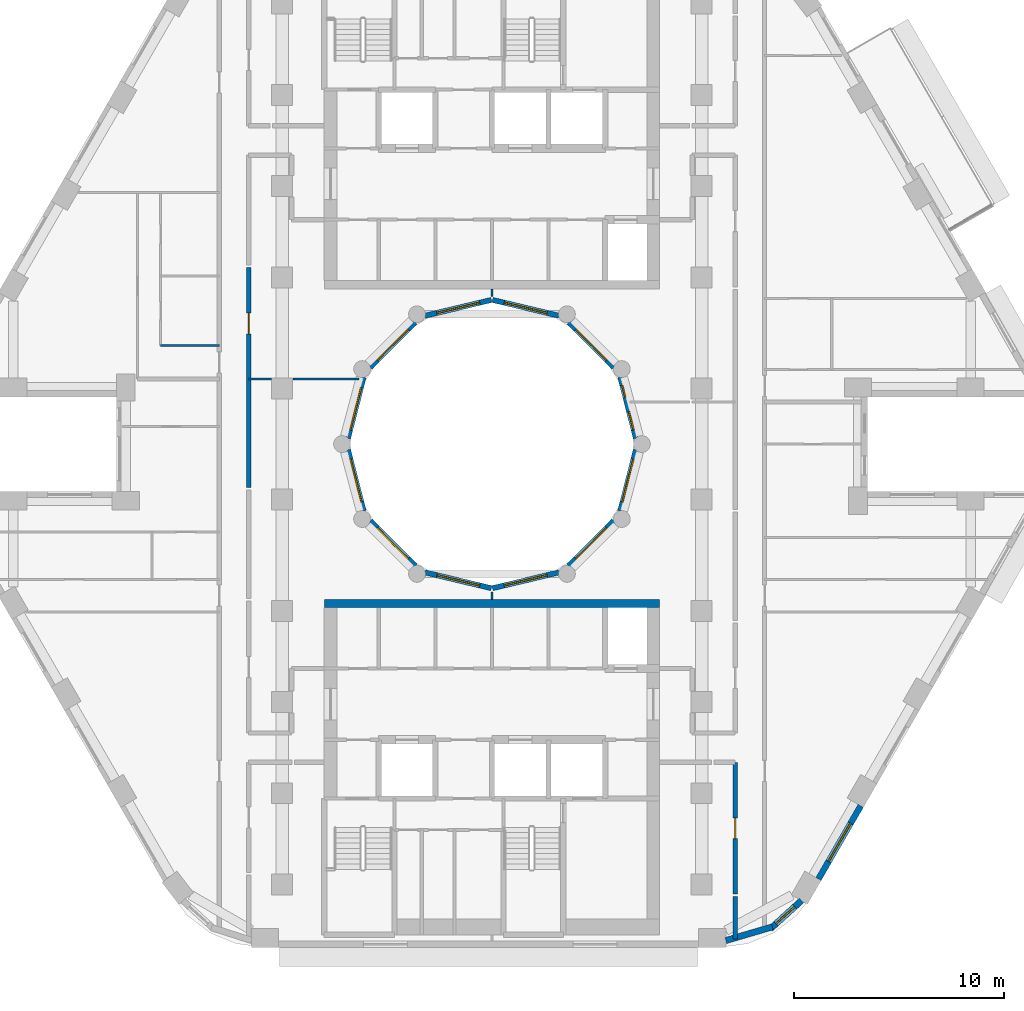
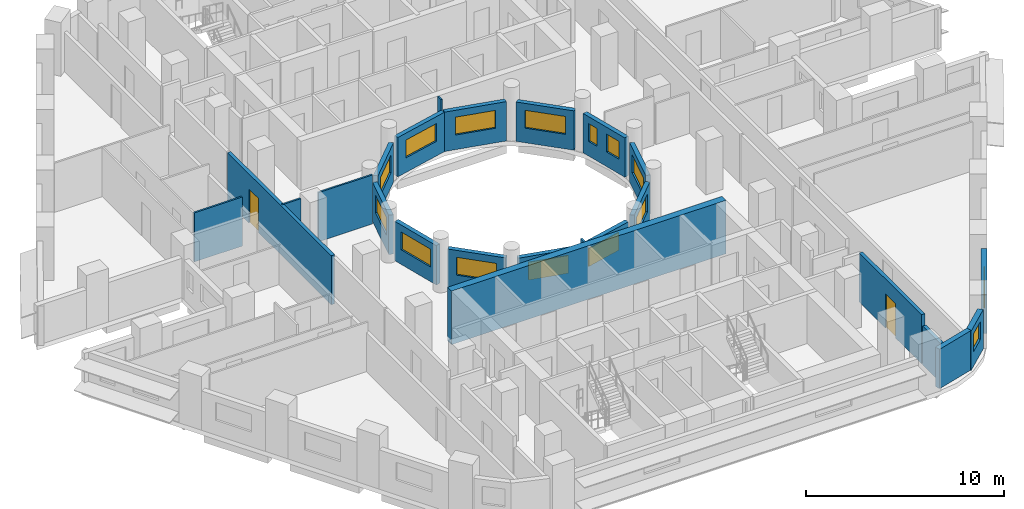
# One storey, part 5 of 14: 24 walls, 15 windows, 2 doors, 17 openings.
"""IFC4 building model written with IfcOpenShell, lengths in metres."""

from ifc_helpers import new_model, si_unit, direction, frame, frame_2d, origin, place, context, subcontext, project, spatial, rectangle, extrude, material, layer, layer_set, type_object, element, fill, save


model = new_model("IFC4")

# Units and contexts
model_context = context("Model", 3, precision=1e-05, world=origin(), true_north=direction((0.0, 1.0)))
body_context = subcontext(model_context, "Body", "Model", "MODEL_VIEW")
ifc_project = project(units=[si_unit("LENGTHUNIT", "METRE"), si_unit("AREAUNIT", "SQUARE_METRE"), si_unit("VOLUMEUNIT", "CUBIC_METRE"), si_unit("PLANEANGLEUNIT", "RADIAN"), si_unit("MASSUNIT", "GRAM", prefix="KILO")], contexts=[model_context])

# Site, building, storey
site_placement = place(None, origin())
site = spatial("IfcSite", under=ifc_project, at=site_placement, CompositionType="ELEMENT")
building_placement = place(site_placement, origin())
building = spatial("IfcBuilding", under=site, at=building_placement, Name="Nakaniwa Court", CompositionType="ELEMENT")
storey_placement = place(building_placement, frame((0.0, 0.0, 163.5)))
storey = spatial("IfcBuildingStorey", under=building, at=storey_placement, Name="L43", CompositionType="ELEMENT", Elevation=163.5)

# Wall
ifc_material_1 = material(Name="Acoustic double stud partition")
ifc_layer_1 = layer(ifc_material_1, 0.199951171875)
ifc_layer_set_1 = layer_set([ifc_layer_1], Name="Acoustic double stud partition")
wall_type_1 = type_object("IfcWallType", Name="Acoustic double stud partition 200", PredefinedType="PARTITIONING", material=ifc_layer_set_1)
wall_1_placement = place(storey_placement, frame((91.60009765625, 56.40087890625, 0.0), z_axis=(0.0, 0.0, 1.0), x_axis=(0.0, 1.0, 0.0)))
element("IfcWall", 1, at=wall_1_placement, inside=storey, type_object=wall_type_1, Name="Partition PW-073", PredefinedType="PARTITIONING", context=body_context, shape_type="SweptSolid", body=[
    extrude(rectangle(XDim=2.02197265625, YDim=0.199951171875, at=frame_2d((1.010986328125, 0.0))), origin(), (0.0, 0.0, 1.0), 2.405029296875),
])

# Wall, opening, door
wall_2_placement = place(storey_placement, frame((91.60009765625, 58.537109375, 0.0), z_axis=(0.0, 0.0, 1.0), x_axis=(0.0, 1.0, 0.0)))
wall_2 = element("IfcWall", 2, at=wall_2_placement, inside=storey, type_object=wall_type_1, Name="Partition PW-074", PredefinedType="PARTITIONING", context=body_context, shape_type="SweptSolid", body=[
    extrude(rectangle(XDim=6.287841796875, YDim=0.199951171875, at=frame_2d((3.14404296875, 0.0))), origin(), (0.0, 0.0, 1.0), 3.02490234375),
])
opening_1_placement = place(wall_2_placement, frame((2.64501953125, 0.0, 0.0)))
opening_1 = element("IfcOpeningElement", 3, at=opening_1_placement, cuts=wall_2, Name="Opening D-02-01", PredefinedType="OPENING", context=body_context, shape_type="SweptSolid", body=[
    extrude(rectangle(XDim=1.0, YDim=2.10009765625, at=frame_2d((0.5, 1.050048828125))), frame((0.0, 0.10986328125, 0.0), z_axis=(0.0, -1.0, 0.0), x_axis=(1.0, 0.0, 0.0)), (0.0, 0.0, 1.0), 0.219970703125),
])
ifc_material_2 = material(Name="Solid core timber door set, black veneer", Category="wood")
door_type = type_object("IfcDoorType", Name="Internal door 1000", OperationType="NOTDEFINED", PredefinedType="DOOR", material=ifc_material_2)
door_1_placement = place(opening_1_placement, origin())
door_1 = element("IfcDoor", 4, at=door_1_placement, inside=storey, type_object=door_type, Name="Door D-02-01 L43-029", OperationType="SINGLE_SWING_RIGHT", OverallHeight=2.10009765625, OverallWidth=1.0, PredefinedType="DOOR", context=body_context, shape_type="SweptSolid", body=[
    extrude(rectangle(XDim=1.0, YDim=2.10009765625, at=frame_2d((0.5, 1.050048828125))), frame((0.0, 0.02490234375, 0.0), z_axis=(0.0, -1.0, 0.0), x_axis=(1.0, 0.0, 0.0)), (0.0, 0.0, 1.0), 0.050048828125),
])
fill(opening_1, door_1)

wall_3_placement = place(storey_placement, frame((68.39990234375, 88.412841796875, 0.0), z_axis=(0.0, 0.0, 1.0), x_axis=(0.0, -1.0, 0.0)))
wall_3 = element("IfcWall", 5, at=wall_3_placement, inside=storey, type_object=wall_type_1, Name="Partition PW-106", PredefinedType="PARTITIONING", context=body_context, shape_type="SweptSolid", body=[
    extrude(rectangle(XDim=10.485595703125, YDim=0.199951171875, at=frame_2d((5.24267578125, 0.0))), origin(), (0.0, 0.0, 1.0), 3.02490234375),
])
opening_2_placement = place(wall_3_placement, frame((2.157958984375, 0.0, 0.0)))
opening_2 = element("IfcOpeningElement", 6, at=opening_2_placement, cuts=wall_3, Name="Opening D-02-07", PredefinedType="OPENING", context=body_context, shape_type="SweptSolid", body=[
    extrude(rectangle(XDim=1.0, YDim=2.10009765625, at=frame_2d((0.5, 1.050048828125))), frame((0.0, 0.10986328125, 0.0), z_axis=(0.0, -1.0, 0.0), x_axis=(1.0, 0.0, 0.0)), (0.0, 0.0, 1.0), 0.219970703125),
])
door_2_placement = place(opening_2_placement, origin())
door_2 = element("IfcDoor", 7, at=door_2_placement, inside=storey, type_object=door_type, Name="Door D-02-07 L43-053", OperationType="SINGLE_SWING_RIGHT", OverallHeight=2.10009765625, OverallWidth=1.0, PredefinedType="DOOR", context=body_context, shape_type="SweptSolid", body=[
    extrude(rectangle(XDim=1.0, YDim=2.10009765625, at=frame_2d((0.5, 1.050048828125))), frame((0.0, 0.02490234375, 0.0), z_axis=(0.0, -1.0, 0.0), x_axis=(1.0, 0.0, 0.0)), (0.0, 0.0, 1.0), 0.050048828125),
])
fill(opening_2, door_2)

# Wall
ifc_material_3 = material(Name="Charcoal ceramic cladding")
ifc_layer_2 = layer(ifc_material_3, 0.02, Name="Ceramic cladding")
ifc_material_4 = material(Name="Ventilated air cavity")
ifc_layer_3 = layer(ifc_material_4, 0.04, ventilated=True, Name="Ventilated cavity")
ifc_material_5 = material(Name="Mineral wool insulation")
ifc_layer_4 = layer(ifc_material_5, 0.1, Name="Insulation")
ifc_material_6 = material(Name="Cement bonded sheathing board")
ifc_layer_5 = layer(ifc_material_6, 0.012, Name="Sheathing")
ifc_material_7 = material(Name="Cold-formed galvanised stud frame with mineral wool infill")
ifc_layer_6 = layer(ifc_material_7, 0.1, Name="Stud frame")
ifc_material_8 = material(Name="Fire-rated gypsum plasterboard lining")
ifc_layer_7 = layer(ifc_material_8, 0.028, Name="Lining")
ifc_layer_set_2 = layer_set([ifc_layer_2, ifc_layer_3, ifc_layer_4, ifc_layer_5, ifc_layer_6, ifc_layer_7], Name="Charcoal ceramic faced external wall system")
wall_type_2 = type_object("IfcWallType", Name="Black ceramic faced external wall 300", PredefinedType="SOLIDWALL", material=ifc_layer_set_2)
wall_4_placement = place(storey_placement, frame((91.1533203125, 56.328125, 0.0), z_axis=(0.0, 0.0, 1.0), x_axis=(0.959473072336, 0.281800325517, 0.0)))
element("IfcWall", 8, at=wall_4_placement, inside=storey, type_object=wall_type_2, Name="L43 external wall 27", PredefinedType="SOLIDWALL", context=body_context, shape_type="SweptSolid", body=[
    extrude(rectangle(XDim=2.3115234375, YDim=0.300048828125, at=frame_2d((1.15576171875, 0.0))), origin(), (0.0, 0.0, 1.0), 2.425048828125),
])

# Wall, opening, window
wall_5_placement = place(storey_placement, frame((93.2783203125, 56.890380859375, 0.0), z_axis=(0.0, 0.0, 1.0), x_axis=(0.740652597499, 0.671888182526, 0.0)))
wall_5 = element("IfcWall", 9, at=wall_5_placement, inside=storey, type_object=wall_type_2, Name="L43 external wall 28", PredefinedType="SOLIDWALL", context=body_context, shape_type="SweptSolid", body=[
    extrude(rectangle(XDim=1.998779296875, YDim=0.300048828125, at=frame_2d((0.99951171875, 0.0))), origin(), (0.0, 0.0, 1.0), 2.425048828125),
])
opening_3_placement = place(wall_5_placement, frame((0.359619140625, 0.0, 0.89990234375)))
opening_3 = element("IfcOpeningElement", 10, at=opening_3_placement, cuts=wall_5, Name="Opening W6.25", PredefinedType="OPENING", context=body_context, shape_type="SweptSolid", body=[
    extrude(rectangle(XDim=1.199951171875, YDim=1.10009765625, at=frame_2d((0.60009765625, 0.550048828125))), frame((0.0, 0.159912109375, 0.0), z_axis=(0.0, -1.0, 0.0), x_axis=(1.0, 0.0, 0.0)), (0.0, 0.0, 1.0), 0.320068359375),
])
ifc_material_9 = material(Name="Black anodised aluminium frame with dark low-E laminated double glazing", Category="aluminium")
window_type_1 = type_object("IfcWindowType", Name="Dark glass window 1200x1100 sill 900", PartitioningType="SINGLE_PANEL", PredefinedType="WINDOW", material=ifc_material_9)
window_1_placement = place(opening_3_placement, origin())
window_1 = element("IfcWindow", 11, at=window_1_placement, inside=storey, type_object=window_type_1, Name="L43 habitable room window 28-0", OverallHeight=1.10009765625, OverallWidth=1.199951171875, PartitioningType="SINGLE_PANEL", PredefinedType="WINDOW", context=body_context, shape_type="SweptSolid", body=[
    extrude(rectangle(XDim=1.199951171875, YDim=1.10009765625, at=frame_2d((0.60009765625, 0.550048828125))), frame((0.0, 0.030029296875, 0.0), z_axis=(0.0, -1.0, 0.0), x_axis=(1.0, 0.0, 0.0)), (0.0, 0.0, 1.0), 0.06005859375),
])
fill(opening_3, window_1)

wall_6_placement = place(storey_placement, frame((95.565185546875, 59.260009765625, 0.0), z_axis=(0.0, 0.0, 1.0), x_axis=(0.500031546601, 0.86600718958, 0.0)))
wall_6 = element("IfcWall", 12, at=wall_6_placement, inside=storey, type_object=wall_type_2, Name="L43 external wall 29", PredefinedType="SOLIDWALL", context=body_context, shape_type="SweptSolid", body=[
    extrude(rectangle(XDim=4.033935546875, YDim=0.300048828125, at=frame_2d((2.01708984375, 0.0))), origin(), (0.0, 0.0, 1.0), 2.425048828125),
])
opening_4_placement = place(wall_6_placement, frame((0.967041015625, 0.0, 0.89990234375)))
opening_4 = element("IfcOpeningElement", 13, at=opening_4_placement, cuts=wall_6, Name="Opening W7.26", PredefinedType="OPENING", context=body_context, shape_type="SweptSolid", body=[
    extrude(rectangle(XDim=2.10009765625, YDim=1.10009765625, at=frame_2d((1.050048828125, 0.550048828125))), frame((0.0, 0.159912109375, 0.0), z_axis=(0.0, -1.0, 0.0), x_axis=(1.0, 0.0, 0.0)), (0.0, 0.0, 1.0), 0.320068359375),
])
window_type_2 = type_object("IfcWindowType", Name="Dark glass window 2100x1100 sill 900", PartitioningType="SINGLE_PANEL", PredefinedType="WINDOW", material=ifc_material_9)
window_2_placement = place(opening_4_placement, origin())
window_2 = element("IfcWindow", 14, at=window_2_placement, inside=storey, type_object=window_type_2, Name="L43 habitable room window 29-0", OverallHeight=1.10009765625, OverallWidth=2.10009765625, PartitioningType="SINGLE_PANEL", PredefinedType="WINDOW", context=body_context, shape_type="SweptSolid", body=[
    extrude(rectangle(XDim=2.10009765625, YDim=1.10009765625, at=frame_2d((1.050048828125, 0.550048828125))), frame((0.0, 0.030029296875, 0.0), z_axis=(0.0, -1.0, 0.0), x_axis=(1.0, 0.0, 0.0)), (0.0, 0.0, 1.0), 0.06005859375),
])
fill(opening_4, window_2)

ifc_layer_8 = layer(ifc_material_3, 0.02, Name="Ceramic cladding")
ifc_layer_9 = layer(ifc_material_4, 0.04, ventilated=True, Name="Ventilated cavity")
ifc_layer_10 = layer(ifc_material_5, 0.075, Name="Insulation")
ifc_layer_11 = layer(ifc_material_6, 0.012, Name="Sheathing")
ifc_layer_12 = layer(ifc_material_7, 0.075, Name="Stud frame")
ifc_layer_13 = layer(ifc_material_8, 0.028, Name="Lining")
ifc_layer_set_3 = layer_set([ifc_layer_8, ifc_layer_9, ifc_layer_10, ifc_layer_11, ifc_layer_12, ifc_layer_13], Name="Charcoal ceramic faced external wall system")
wall_type_3 = type_object("IfcWallType", Name="Charcoal ceramic faced well wall 250", PredefinedType="SOLIDWALL", material=ifc_layer_set_3)
wall_7_placement = place(storey_placement, frame((86.8603515625, 79.72998046875, 0.0), z_axis=(0.0, 0.0, 1.0), x_axis=(-0.247055971283, -0.969001211069, 0.0)))
wall_7 = element("IfcWall", 15, at=wall_7_placement, inside=storey, type_object=wall_type_3, Name="L43 external wall 36", PredefinedType="SOLIDWALL", context=body_context, shape_type="SweptSolid", body=[
    extrude(rectangle(XDim=3.010009765625, YDim=0.25, at=frame_2d((1.5048828125, 0.0))), origin(), (0.0, 0.0, 1.0), 2.425048828125),
])
opening_5_placement = place(wall_7_placement, frame((0.46875, 0.0, 0.89990234375)))
opening_5 = element("IfcOpeningElement", 16, at=opening_5_placement, cuts=wall_7, Name="Opening W7.35", PredefinedType="OPENING", context=body_context, shape_type="SweptSolid", body=[
    extrude(rectangle(XDim=2.10009765625, YDim=1.10009765625, at=frame_2d((1.050048828125, 0.550048828125))), frame((0.0, 0.135009765625, 0.0), z_axis=(0.0, -1.0, 0.0), x_axis=(1.0, 0.0, 0.0)), (0.0, 0.0, 1.0), 0.27001953125),
])
window_3_placement = place(opening_5_placement, origin())
window_3 = element("IfcWindow", 17, at=window_3_placement, inside=storey, type_object=window_type_2, Name="L43 habitable room window 36-0", OverallHeight=1.10009765625, OverallWidth=2.10009765625, PartitioningType="SINGLE_PANEL", PredefinedType="WINDOW", context=body_context, shape_type="SweptSolid", body=[
    extrude(rectangle(XDim=2.10009765625, YDim=1.10009765625, at=frame_2d((1.050048828125, 0.550048828125))), frame((0.0, 0.030029296875, 0.0), z_axis=(0.0, -1.0, 0.0), x_axis=(1.0, 0.0, 0.0)), (0.0, 0.0, 1.0), 0.06005859375),
])
fill(opening_5, window_3)

wall_8_placement = place(storey_placement, frame((85.8056640625, 76.339111328125, 0.0), z_axis=(0.0, 0.0, 1.0), x_axis=(-0.707106781187, -0.707106781187, 0.0)))
wall_8 = element("IfcWall", 18, at=wall_8_placement, inside=storey, type_object=wall_type_3, Name="L43 external wall 37", PredefinedType="SOLIDWALL", context=body_context, shape_type="SweptSolid", body=[
    extrude(rectangle(XDim=3.033203125, YDim=0.25, at=frame_2d((1.5166015625, 0.0))), origin(), (0.0, 0.0, 1.0), 2.425048828125),
])
opening_6_placement = place(wall_8_placement, frame((0.466552734375, 0.0, 0.89990234375)))
opening_6 = element("IfcOpeningElement", 19, at=opening_6_placement, cuts=wall_8, Name="Opening W7.36", PredefinedType="OPENING", context=body_context, shape_type="SweptSolid", body=[
    extrude(rectangle(XDim=2.10009765625, YDim=1.10009765625, at=frame_2d((1.050048828125, 0.550048828125))), frame((0.0, 0.135009765625, 0.0), z_axis=(0.0, -1.0, 0.0), x_axis=(1.0, 0.0, 0.0)), (0.0, 0.0, 1.0), 0.27001953125),
])
window_4_placement = place(opening_6_placement, origin())
window_4 = element("IfcWindow", 20, at=window_4_placement, inside=storey, type_object=window_type_2, Name="L43 habitable room window 37-0", OverallHeight=1.10009765625, OverallWidth=2.10009765625, PartitioningType="SINGLE_PANEL", PredefinedType="WINDOW", context=body_context, shape_type="SweptSolid", body=[
    extrude(rectangle(XDim=2.10009765625, YDim=1.10009765625, at=frame_2d((1.050048828125, 0.550048828125))), frame((0.0, 0.030029296875, 0.0), z_axis=(0.0, -1.0, 0.0), x_axis=(1.0, 0.0, 0.0)), (0.0, 0.0, 1.0), 0.06005859375),
])
fill(opening_6, window_4)

wall_9_placement = place(storey_placement, frame((83.186279296875, 73.880615234375, 0.0), z_axis=(0.0, 0.0, 1.0), x_axis=(-0.972773113459, -0.231759508395, 0.0)))
wall_9 = element("IfcWall", 21, at=wall_9_placement, inside=storey, type_object=wall_type_3, Name="L43 external wall 38", PredefinedType="SOLIDWALL", context=body_context, shape_type="SweptSolid", body=[
    extrude(rectangle(XDim=3.24560546875, YDim=0.25, at=frame_2d((1.622802734375, 0.0))), origin(), (0.0, 0.0, 1.0), 2.425048828125),
])
opening_7_placement = place(wall_9_placement, frame((0.57275390625, 0.0, 0.89990234375)))
opening_7 = element("IfcOpeningElement", 22, at=opening_7_placement, cuts=wall_9, Name="Opening W7.37", PredefinedType="OPENING", context=body_context, shape_type="SweptSolid", body=[
    extrude(rectangle(XDim=2.10009765625, YDim=1.10009765625, at=frame_2d((1.050048828125, 0.550048828125))), frame((0.0, 0.135009765625, 0.0), z_axis=(0.0, -1.0, 0.0), x_axis=(1.0, 0.0, 0.0)), (0.0, 0.0, 1.0), 0.27001953125),
])
window_5_placement = place(opening_7_placement, origin())
window_5 = element("IfcWindow", 23, at=window_5_placement, inside=storey, type_object=window_type_2, Name="L43 habitable room window 38-0", OverallHeight=1.10009765625, OverallWidth=2.10009765625, PartitioningType="SINGLE_PANEL", PredefinedType="WINDOW", context=body_context, shape_type="SweptSolid", body=[
    extrude(rectangle(XDim=2.10009765625, YDim=1.10009765625, at=frame_2d((1.050048828125, 0.550048828125))), frame((0.0, 0.030029296875, 0.0), z_axis=(0.0, -1.0, 0.0), x_axis=(1.0, 0.0, 0.0)), (0.0, 0.0, 1.0), 0.06005859375),
])
fill(opening_7, window_5)

wall_10_placement = place(storey_placement, frame((79.970947265625, 73.12841796875, 0.0), z_axis=(0.0, 0.0, 1.0), x_axis=(-0.972773113459, 0.231759508395, 0.0)))
wall_10 = element("IfcWall", 24, at=wall_10_placement, inside=storey, type_object=wall_type_3, Name="L43 external wall 39", PredefinedType="SOLIDWALL", context=body_context, shape_type="SweptSolid", body=[
    extrude(rectangle(XDim=3.24560546875, YDim=0.25, at=frame_2d((1.622802734375, 0.0))), origin(), (0.0, 0.0, 1.0), 2.425048828125),
])
opening_8_placement = place(wall_10_placement, frame((0.57275390625, 0.0, 0.89990234375)))
opening_8 = element("IfcOpeningElement", 25, at=opening_8_placement, cuts=wall_10, Name="Opening W7.38", PredefinedType="OPENING", context=body_context, shape_type="SweptSolid", body=[
    extrude(rectangle(XDim=2.10009765625, YDim=1.10009765625, at=frame_2d((1.050048828125, 0.550048828125))), frame((0.0, 0.135009765625, 0.0), z_axis=(0.0, -1.0, 0.0), x_axis=(1.0, 0.0, 0.0)), (0.0, 0.0, 1.0), 0.27001953125),
])
window_6_placement = place(opening_8_placement, origin())
window_6 = element("IfcWindow", 26, at=window_6_placement, inside=storey, type_object=window_type_2, Name="L43 habitable room window 39-0", OverallHeight=1.10009765625, OverallWidth=2.10009765625, PartitioningType="SINGLE_PANEL", PredefinedType="WINDOW", context=body_context, shape_type="SweptSolid", body=[
    extrude(rectangle(XDim=2.10009765625, YDim=1.10009765625, at=frame_2d((1.050048828125, 0.550048828125))), frame((0.0, 0.030029296875, 0.0), z_axis=(0.0, -1.0, 0.0), x_axis=(1.0, 0.0, 0.0)), (0.0, 0.0, 1.0), 0.06005859375),
])
fill(opening_8, window_6)

wall_11_placement = place(storey_placement, frame((76.339111328125, 74.1943359375, 0.0), z_axis=(0.0, 0.0, 1.0), x_axis=(-0.707106781187, 0.707106781187, 0.0)))
wall_11 = element("IfcWall", 27, at=wall_11_placement, inside=storey, type_object=wall_type_3, Name="L43 external wall 40", PredefinedType="SOLIDWALL", context=body_context, shape_type="SweptSolid", body=[
    extrude(rectangle(XDim=3.033203125, YDim=0.25, at=frame_2d((1.5166015625, 0.0))), origin(), (0.0, 0.0, 1.0), 2.425048828125),
])
opening_9_placement = place(wall_11_placement, frame((0.466552734375, 0.0, 0.89990234375)))
opening_9 = element("IfcOpeningElement", 28, at=opening_9_placement, cuts=wall_11, Name="Opening W7.39", PredefinedType="OPENING", context=body_context, shape_type="SweptSolid", body=[
    extrude(rectangle(XDim=2.10009765625, YDim=1.10009765625, at=frame_2d((1.050048828125, 0.550048828125))), frame((0.0, 0.135009765625, 0.0), z_axis=(0.0, -1.0, 0.0), x_axis=(1.0, 0.0, 0.0)), (0.0, 0.0, 1.0), 0.27001953125),
])
window_7_placement = place(opening_9_placement, origin())
window_7 = element("IfcWindow", 29, at=window_7_placement, inside=storey, type_object=window_type_2, Name="L43 habitable room window 40-0", OverallHeight=1.10009765625, OverallWidth=2.10009765625, PartitioningType="SINGLE_PANEL", PredefinedType="WINDOW", context=body_context, shape_type="SweptSolid", body=[
    extrude(rectangle(XDim=2.10009765625, YDim=1.10009765625, at=frame_2d((1.050048828125, 0.550048828125))), frame((0.0, 0.030029296875, 0.0), z_axis=(0.0, -1.0, 0.0), x_axis=(1.0, 0.0, 0.0)), (0.0, 0.0, 1.0), 0.06005859375),
])
fill(opening_9, window_7)

wall_12_placement = place(storey_placement, frame((73.88330078125, 76.813232421875, 0.0), z_axis=(0.0, 0.0, 1.0), x_axis=(-0.247055971283, 0.969001211069, 0.0)))
wall_12 = element("IfcWall", 30, at=wall_12_placement, inside=storey, type_object=wall_type_3, Name="L43 external wall 41", PredefinedType="SOLIDWALL", context=body_context, shape_type="SweptSolid", body=[
    extrude(rectangle(XDim=3.010009765625, YDim=0.25, at=frame_2d((1.5048828125, 0.0))), origin(), (0.0, 0.0, 1.0), 2.425048828125),
])
opening_10_placement = place(wall_12_placement, frame((0.441162109375, 0.0, 0.89990234375)))
opening_10 = element("IfcOpeningElement", 31, at=opening_10_placement, cuts=wall_12, Name="Opening W7.40", PredefinedType="OPENING", context=body_context, shape_type="SweptSolid", body=[
    extrude(rectangle(XDim=2.10009765625, YDim=1.10009765625, at=frame_2d((1.050048828125, 0.550048828125))), frame((0.0, 0.135009765625, 0.0), z_axis=(0.0, -1.0, 0.0), x_axis=(1.0, 0.0, 0.0)), (0.0, 0.0, 1.0), 0.27001953125),
])
window_8_placement = place(opening_10_placement, origin())
window_8 = element("IfcWindow", 32, at=window_8_placement, inside=storey, type_object=window_type_2, Name="L43 habitable room window 41-0", OverallHeight=1.10009765625, OverallWidth=2.10009765625, PartitioningType="SINGLE_PANEL", PredefinedType="WINDOW", context=body_context, shape_type="SweptSolid", body=[
    extrude(rectangle(XDim=2.10009765625, YDim=1.10009765625, at=frame_2d((1.050048828125, 0.550048828125))), frame((0.0, 0.030029296875, 0.0), z_axis=(0.0, -1.0, 0.0), x_axis=(1.0, 0.0, 0.0)), (0.0, 0.0, 1.0), 0.06005859375),
])
fill(opening_10, window_8)

wall_13_placement = place(storey_placement, frame((73.1396484375, 80.27001953125, 0.0), z_axis=(0.0, 0.0, 1.0), x_axis=(0.247055971283, 0.969001211069, 0.0)))
wall_13 = element("IfcWall", 33, at=wall_13_placement, inside=storey, type_object=wall_type_3, Name="L43 external wall 42", PredefinedType="SOLIDWALL", context=body_context, shape_type="SweptSolid", body=[
    extrude(rectangle(XDim=3.010009765625, YDim=0.25, at=frame_2d((1.5048828125, 0.0))), origin(), (0.0, 0.0, 1.0), 2.425048828125),
])
opening_11_placement = place(wall_13_placement, frame((0.400634765625, 0.0, 0.89990234375)))
opening_11 = element("IfcOpeningElement", 34, at=opening_11_placement, cuts=wall_13, Name="Opening W7.41", PredefinedType="OPENING", context=body_context, shape_type="SweptSolid", body=[
    extrude(rectangle(XDim=2.10009765625, YDim=1.10009765625, at=frame_2d((1.050048828125, 0.550048828125))), frame((0.0, 0.135009765625, 0.0), z_axis=(0.0, -1.0, 0.0), x_axis=(1.0, 0.0, 0.0)), (0.0, 0.0, 1.0), 0.27001953125),
])
window_9_placement = place(opening_11_placement, origin())
window_9 = element("IfcWindow", 35, at=window_9_placement, inside=storey, type_object=window_type_2, Name="L43 habitable room window 42-0", OverallHeight=1.10009765625, OverallWidth=2.10009765625, PartitioningType="SINGLE_PANEL", PredefinedType="WINDOW", context=body_context, shape_type="SweptSolid", body=[
    extrude(rectangle(XDim=2.10009765625, YDim=1.10009765625, at=frame_2d((1.050048828125, 0.550048828125))), frame((0.0, 0.030029296875, 0.0), z_axis=(0.0, -1.0, 0.0), x_axis=(1.0, 0.0, 0.0)), (0.0, 0.0, 1.0), 0.06005859375),
])
fill(opening_11, window_9)

wall_14_placement = place(storey_placement, frame((74.1943359375, 83.660888671875, 0.0), z_axis=(0.0, 0.0, 1.0), x_axis=(0.707106781187, 0.707106781187, 0.0)))
wall_14 = element("IfcWall", 36, at=wall_14_placement, inside=storey, type_object=wall_type_3, Name="L43 external wall 43", PredefinedType="SOLIDWALL", context=body_context, shape_type="SweptSolid", body=[
    extrude(rectangle(XDim=3.033203125, YDim=0.25, at=frame_2d((1.5166015625, 0.0))), origin(), (0.0, 0.0, 1.0), 2.425048828125),
])
opening_12_placement = place(wall_14_placement, frame((0.466552734375, 0.0, 0.89990234375)))
opening_12 = element("IfcOpeningElement", 37, at=opening_12_placement, cuts=wall_14, Name="Opening W7.42", PredefinedType="OPENING", context=body_context, shape_type="SweptSolid", body=[
    extrude(rectangle(XDim=2.10009765625, YDim=1.10009765625, at=frame_2d((1.050048828125, 0.550048828125))), frame((0.0, 0.135009765625, 0.0), z_axis=(0.0, -1.0, 0.0), x_axis=(1.0, 0.0, 0.0)), (0.0, 0.0, 1.0), 0.27001953125),
])
window_10_placement = place(opening_12_placement, origin())
window_10 = element("IfcWindow", 38, at=window_10_placement, inside=storey, type_object=window_type_2, Name="L43 habitable room window 43-0", OverallHeight=1.10009765625, OverallWidth=2.10009765625, PartitioningType="SINGLE_PANEL", PredefinedType="WINDOW", context=body_context, shape_type="SweptSolid", body=[
    extrude(rectangle(XDim=2.10009765625, YDim=1.10009765625, at=frame_2d((1.050048828125, 0.550048828125))), frame((0.0, 0.030029296875, 0.0), z_axis=(0.0, -1.0, 0.0), x_axis=(1.0, 0.0, 0.0)), (0.0, 0.0, 1.0), 0.06005859375),
])
fill(opening_12, window_10)

wall_15_placement = place(storey_placement, frame((76.813720703125, 86.119384765625, 0.0), z_axis=(0.0, 0.0, 1.0), x_axis=(0.972773113459, 0.231759508395, 0.0)))
wall_15 = element("IfcWall", 39, at=wall_15_placement, inside=storey, type_object=wall_type_3, Name="L43 external wall 44", PredefinedType="SOLIDWALL", context=body_context, shape_type="SweptSolid", body=[
    extrude(rectangle(XDim=3.24560546875, YDim=0.25, at=frame_2d((1.622802734375, 0.0))), origin(), (0.0, 0.0, 1.0), 2.425048828125),
])
opening_13_placement = place(wall_15_placement, frame((0.57275390625, 0.0, 0.89990234375)))
opening_13 = element("IfcOpeningElement", 40, at=opening_13_placement, cuts=wall_15, Name="Opening W7.43", PredefinedType="OPENING", context=body_context, shape_type="SweptSolid", body=[
    extrude(rectangle(XDim=2.10009765625, YDim=1.10009765625, at=frame_2d((1.050048828125, 0.550048828125))), frame((0.0, 0.135009765625, 0.0), z_axis=(0.0, -1.0, 0.0), x_axis=(1.0, 0.0, 0.0)), (0.0, 0.0, 1.0), 0.27001953125),
])
window_11_placement = place(opening_13_placement, origin())
window_11 = element("IfcWindow", 41, at=window_11_placement, inside=storey, type_object=window_type_2, Name="L43 habitable room window 44-0", OverallHeight=1.10009765625, OverallWidth=2.10009765625, PartitioningType="SINGLE_PANEL", PredefinedType="WINDOW", context=body_context, shape_type="SweptSolid", body=[
    extrude(rectangle(XDim=2.10009765625, YDim=1.10009765625, at=frame_2d((1.050048828125, 0.550048828125))), frame((0.0, 0.030029296875, 0.0), z_axis=(0.0, -1.0, 0.0), x_axis=(1.0, 0.0, 0.0)), (0.0, 0.0, 1.0), 0.06005859375),
])
fill(opening_13, window_11)

wall_16_placement = place(storey_placement, frame((80.029052734375, 86.87158203125, 0.0), z_axis=(0.0, 0.0, 1.0), x_axis=(0.972773113459, -0.231759508395, 0.0)))
wall_16 = element("IfcWall", 42, at=wall_16_placement, inside=storey, type_object=wall_type_3, Name="L43 external wall 45", PredefinedType="SOLIDWALL", context=body_context, shape_type="SweptSolid", body=[
    extrude(rectangle(XDim=3.24560546875, YDim=0.25, at=frame_2d((1.622802734375, 0.0))), origin(), (0.0, 0.0, 1.0), 2.425048828125),
])
opening_14_placement = place(wall_16_placement, frame((0.57275390625, 0.0, 0.89990234375)))
opening_14 = element("IfcOpeningElement", 43, at=opening_14_placement, cuts=wall_16, Name="Opening W7.44", PredefinedType="OPENING", context=body_context, shape_type="SweptSolid", body=[
    extrude(rectangle(XDim=2.10009765625, YDim=1.10009765625, at=frame_2d((1.050048828125, 0.550048828125))), frame((0.0, 0.135009765625, 0.0), z_axis=(0.0, -1.0, 0.0), x_axis=(1.0, 0.0, 0.0)), (0.0, 0.0, 1.0), 0.27001953125),
])
window_12_placement = place(opening_14_placement, origin())
window_12 = element("IfcWindow", 44, at=window_12_placement, inside=storey, type_object=window_type_2, Name="L43 habitable room window 45-0", OverallHeight=1.10009765625, OverallWidth=2.10009765625, PartitioningType="SINGLE_PANEL", PredefinedType="WINDOW", context=body_context, shape_type="SweptSolid", body=[
    extrude(rectangle(XDim=2.10009765625, YDim=1.10009765625, at=frame_2d((1.050048828125, 0.550048828125))), frame((0.0, 0.030029296875, 0.0), z_axis=(0.0, -1.0, 0.0), x_axis=(1.0, 0.0, 0.0)), (0.0, 0.0, 1.0), 0.06005859375),
])
fill(opening_14, window_12)

wall_17_placement = place(storey_placement, frame((83.660888671875, 85.8056640625, 0.0), z_axis=(0.0, 0.0, 1.0), x_axis=(0.707106781187, -0.707106781187, 0.0)))
wall_17 = element("IfcWall", 45, at=wall_17_placement, inside=storey, type_object=wall_type_3, Name="L43 external wall 46", PredefinedType="SOLIDWALL", context=body_context, shape_type="SweptSolid", body=[
    extrude(rectangle(XDim=3.033203125, YDim=0.25, at=frame_2d((1.5166015625, 0.0))), origin(), (0.0, 0.0, 1.0), 2.425048828125),
])
opening_15_placement = place(wall_17_placement, frame((0.466552734375, 0.0, 0.89990234375)))
opening_15 = element("IfcOpeningElement", 46, at=opening_15_placement, cuts=wall_17, Name="Opening W7.45", PredefinedType="OPENING", context=body_context, shape_type="SweptSolid", body=[
    extrude(rectangle(XDim=2.10009765625, YDim=1.10009765625, at=frame_2d((1.050048828125, 0.550048828125))), frame((0.0, 0.135009765625, 0.0), z_axis=(0.0, -1.0, 0.0), x_axis=(1.0, 0.0, 0.0)), (0.0, 0.0, 1.0), 0.27001953125),
])
window_13_placement = place(opening_15_placement, origin())
window_13 = element("IfcWindow", 47, at=window_13_placement, inside=storey, type_object=window_type_2, Name="L43 habitable room window 46-0", OverallHeight=1.10009765625, OverallWidth=2.10009765625, PartitioningType="SINGLE_PANEL", PredefinedType="WINDOW", context=body_context, shape_type="SweptSolid", body=[
    extrude(rectangle(XDim=2.10009765625, YDim=1.10009765625, at=frame_2d((1.050048828125, 0.550048828125))), frame((0.0, 0.030029296875, 0.0), z_axis=(0.0, -1.0, 0.0), x_axis=(1.0, 0.0, 0.0)), (0.0, 0.0, 1.0), 0.06005859375),
])
fill(opening_15, window_13)

# Wall, openings, windows
wall_18_placement = place(storey_placement, frame((86.11669921875, 83.186767578125, 0.0), z_axis=(0.0, 0.0, 1.0), x_axis=(0.247055971283, -0.969001211069, 0.0)))
wall_18 = element("IfcWall", 48, at=wall_18_placement, inside=storey, type_object=wall_type_3, Name="L43 external wall 47", PredefinedType="SOLIDWALL", context=body_context, shape_type="SweptSolid", body=[
    extrude(rectangle(XDim=3.010009765625, YDim=0.25, at=frame_2d((1.5048828125, 0.0))), origin(), (0.0, 0.0, 1.0), 2.425048828125),
])
opening_16_placement = place(wall_18_placement, frame((0.3916015625, 0.0, 0.89990234375)))
opening_16 = element("IfcOpeningElement", 49, at=opening_16_placement, cuts=wall_18, Name="Opening W8.46", PredefinedType="OPENING", context=body_context, shape_type="SweptSolid", body=[
    extrude(rectangle(XDim=0.60009765625, YDim=1.10009765625, at=frame_2d((0.300048828125, 0.550048828125))), frame((0.0, 0.135009765625, 0.0), z_axis=(0.0, -1.0, 0.0), x_axis=(1.0, 0.0, 0.0)), (0.0, 0.0, 1.0), 0.27001953125),
])
opening_17_placement = place(wall_18_placement, frame((1.69140625, 0.0, 0.89990234375)))
opening_17 = element("IfcOpeningElement", 50, at=opening_17_placement, cuts=wall_18, Name="Opening W9.47", PredefinedType="OPENING", context=body_context, shape_type="SweptSolid", body=[
    extrude(rectangle(XDim=0.89990234375, YDim=1.10009765625, at=frame_2d((0.449951171875, 0.550048828125))), frame((0.0, 0.135009765625, 0.0), z_axis=(0.0, -1.0, 0.0), x_axis=(1.0, 0.0, 0.0)), (0.0, 0.0, 1.0), 0.27001953125),
])
window_type_3 = type_object("IfcWindowType", Name="Dark glass window 600x1100 sill 900", PartitioningType="SINGLE_PANEL", PredefinedType="WINDOW", material=ifc_material_9)
window_14_placement = place(opening_16_placement, origin())
window_14 = element("IfcWindow", 51, at=window_14_placement, inside=storey, type_object=window_type_3, Name="L43 habitable room window 47-0", OverallHeight=1.10009765625, OverallWidth=0.60009765625, PartitioningType="SINGLE_PANEL", PredefinedType="WINDOW", context=body_context, shape_type="SweptSolid", body=[
    extrude(rectangle(XDim=0.60009765625, YDim=1.10009765625, at=frame_2d((0.300048828125, 0.550048828125))), frame((0.0, 0.030029296875, 0.0), z_axis=(0.0, -1.0, 0.0), x_axis=(1.0, 0.0, 0.0)), (0.0, 0.0, 1.0), 0.06005859375),
])
fill(opening_16, window_14)
window_type_4 = type_object("IfcWindowType", Name="Dark glass window 900x1100 sill 900", PartitioningType="SINGLE_PANEL", PredefinedType="WINDOW", material=ifc_material_9)
window_15_placement = place(opening_17_placement, origin())
window_15 = element("IfcWindow", 52, at=window_15_placement, inside=storey, type_object=window_type_4, Name="L43 habitable room window 47-1", OverallHeight=1.10009765625, OverallWidth=0.89990234375, PartitioningType="SINGLE_PANEL", PredefinedType="WINDOW", context=body_context, shape_type="SweptSolid", body=[
    extrude(rectangle(XDim=0.89990234375, YDim=1.10009765625, at=frame_2d((0.449951171875, 0.550048828125))), frame((0.0, 0.030029296875, 0.0), z_axis=(0.0, -1.0, 0.0), x_axis=(1.0, 0.0, 0.0)), (0.0, 0.0, 1.0), 0.06005859375),
])
fill(opening_17, window_15)

# Walls
ifc_material_10 = material(Name="Concrete C80/100", Category="concrete")
ifc_layer_14 = layer(ifc_material_10, 0.39990234375)
ifc_layer_set_4 = layer_set([ifc_layer_14], Name="Concrete C80/100")
wall_type_4 = type_object("IfcWallType", Name="Concrete core well wall 400 C80", PredefinedType="SHEAR", material=ifc_layer_set_4)
wall_19_placement = place(storey_placement, frame((72.00390625, 72.39990234375, -0.27490234375), z_axis=(0.0, 0.0, 1.0), x_axis=(1.0, 0.0, 0.0)))
element("IfcWall", 53, at=wall_19_placement, inside=storey, type_object=wall_type_4, Name="Core wall SW-144", PredefinedType="SHEAR", context=body_context, shape_type="SweptSolid", body=[
    extrude(rectangle(XDim=15.9921875, YDim=0.39990234375, at=frame_2d((7.99609375, 0.0))), origin(), (0.0, 0.0, 1.0), 3.2998046875),
])
ifc_material_11 = material(Name="Single stud plasterboard partition")
ifc_layer_15 = layer(ifc_material_11, 0.10009765625)
ifc_layer_set_5 = layer_set([ifc_layer_15], Name="Single stud plasterboard partition")
wall_type_5 = type_object("IfcWallType", Name="Single stud plasterboard partition 100", PredefinedType="PARTITIONING", material=ifc_layer_set_5)
for number, where, z_axis, x_axis, name in (
    (54, (80.0, 72.60009765625, 0.0), (0.0, 0.0, 1.0), (0.0, 1.0, 0.0), "Partition PW-116"),
    (55, (80.0, 87.048095703125, 0.0), (0.0, 0.0, 1.0), (0.0, 1.0, 0.0), "Partition PW-117"),
):
    element("IfcWall", number, at=place(storey_placement, frame(where, z_axis=z_axis, x_axis=x_axis)), inside=storey, type_object=wall_type_5, Name=name, PredefinedType="PARTITIONING", context=body_context, shape_type="SweptSolid", body=[
        extrude(rectangle(XDim=0.351806640625, YDim=0.10009765625, at=frame_2d((0.17578125, 0.0))), origin(), (0.0, 0.0, 1.0), 3.02490234375),
    ])
wall_20_placement = place(storey_placement, frame((68.40087890625, 83.10009765625, 0.0), z_axis=(0.0, 0.0, 1.0), x_axis=(1.0, 0.0, 0.0)))
element("IfcWall", 56, at=wall_20_placement, inside=storey, type_object=wall_type_5, Name="Partition PW-132", PredefinedType="PARTITIONING", context=body_context, shape_type="SweptSolid", body=[
    extrude(rectangle(XDim=1.0791015625, YDim=0.10009765625, at=frame_2d((0.53955078125, 0.0))), origin(), (0.0, 0.0, 1.0), 3.02490234375),
])
wall_21_placement = place(storey_placement, frame((70.52001953125, 83.10009765625, 0.0), z_axis=(0.0, 0.0, 1.0), x_axis=(1.0, 0.0, 0.0)))
element("IfcWall", 57, at=wall_21_placement, inside=storey, type_object=wall_type_5, Name="Partition PW-133", PredefinedType="PARTITIONING", context=body_context, shape_type="SweptSolid", body=[
    extrude(rectangle(XDim=3.15185546875, YDim=0.10009765625, at=frame_2d((1.575927734375, 0.0))), origin(), (0.0, 0.0, 1.0), 3.02490234375),
])
wall_22_placement = place(storey_placement, frame((64.198974609375, 84.699951171875, 0.0), z_axis=(0.0, 0.0, 1.0), x_axis=(1.0, 0.0, 0.0)))
element("IfcWall", 58, at=wall_22_placement, inside=storey, type_object=wall_type_5, Name="Partition PW-140", PredefinedType="PARTITIONING", context=body_context, shape_type="SweptSolid", body=[
    extrude(rectangle(XDim=2.800048828125, YDim=0.10009765625, at=frame_2d((1.39990234375, 0.0))), origin(), (0.0, 0.0, 1.0), 3.02490234375),
])

save(model, "model.ifc")
